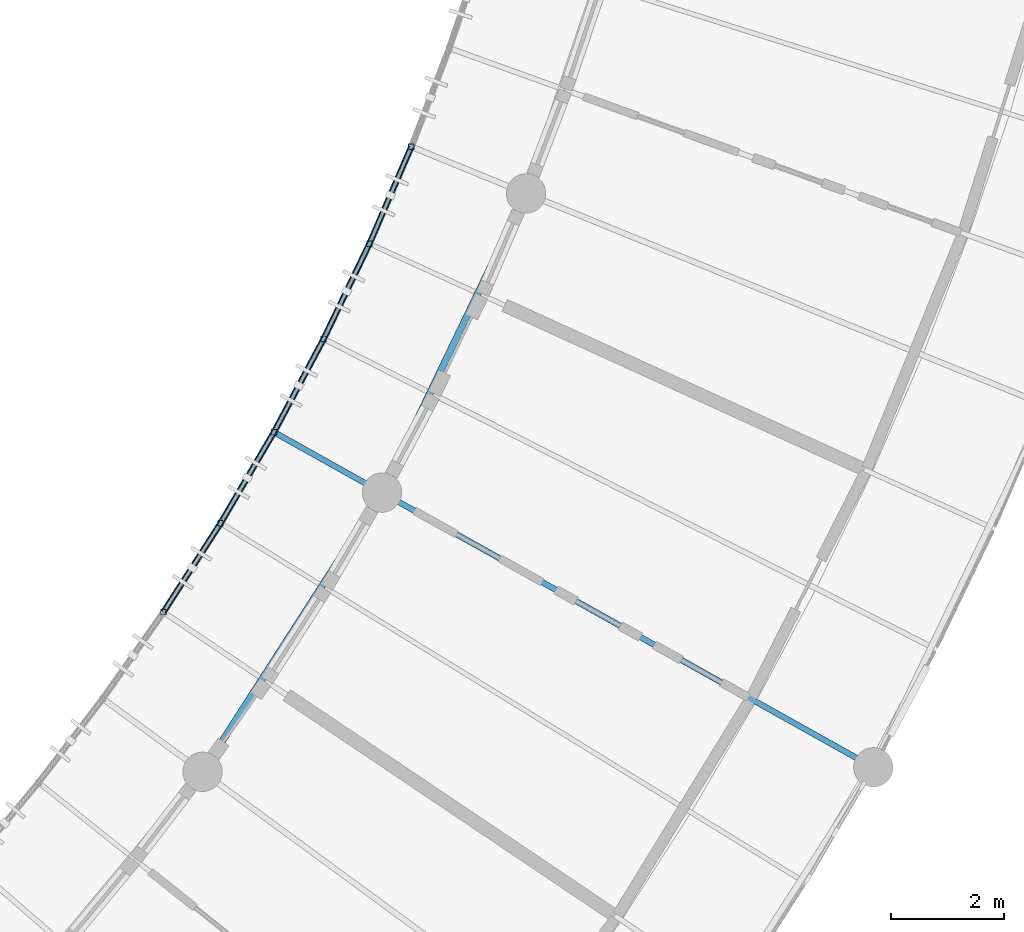
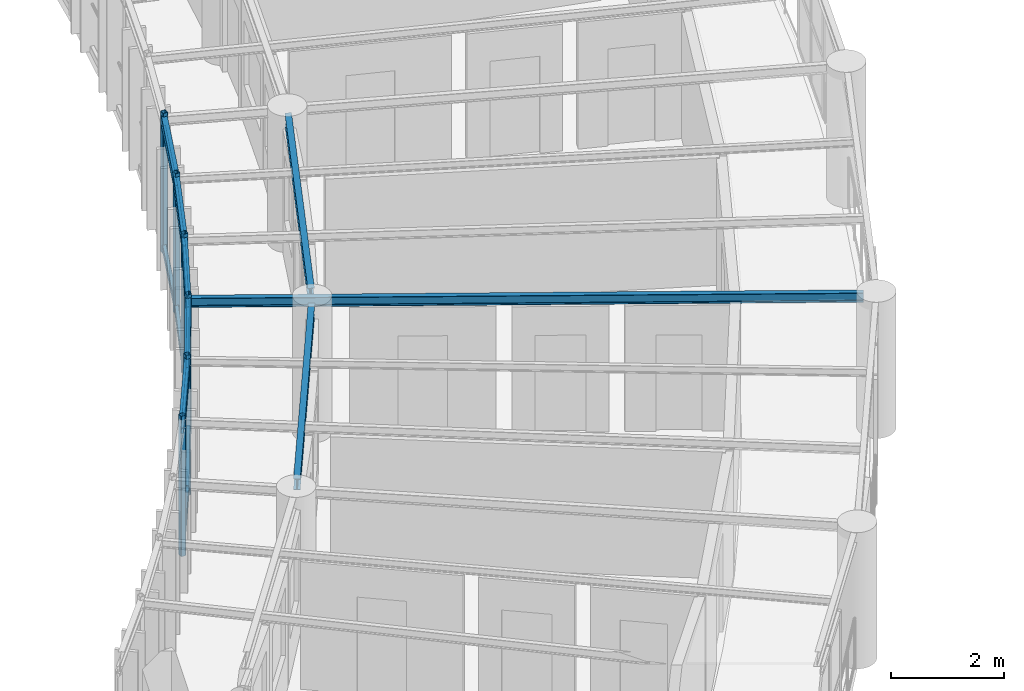
# One storey, part 25 of 137: 16 members, 8 beams.
"""IFC4 building model written with IfcOpenShell, lengths in metres."""

from ifc_helpers import new_model, si_unit, direction, frame, origin, origin_2d, place, context, subcontext, project, spatial, hollow_rectangle, i_section, extrude, material, material_profile, profile_set, type_object, element, save


model = new_model("IFC4")

# Units and contexts
model_context = context("Model", 3, precision=1e-05, world=origin(), true_north=direction((0.0, 1.0)))
body_context = subcontext(model_context, "Body", "Model", "MODEL_VIEW")
ifc_project = project(units=[si_unit("LENGTHUNIT", "METRE"), si_unit("AREAUNIT", "SQUARE_METRE"), si_unit("VOLUMEUNIT", "CUBIC_METRE"), si_unit("PLANEANGLEUNIT", "RADIAN"), si_unit("MASSUNIT", "GRAM", prefix="KILO"), si_unit("POWERUNIT", "WATT"), si_unit("THERMODYNAMICTEMPERATUREUNIT", "KELVIN")], contexts=[model_context])

# Site, building, storey
site_placement = place(None, origin())
site = spatial("IfcSite", under=ifc_project, at=site_placement, CompositionType="ELEMENT")
building_placement = place(site_placement, origin())
building = spatial("IfcBuilding", under=site, at=building_placement, Name="Ruvembo Vaulted Housing Court", CompositionType="ELEMENT")
storey_placement = place(building_placement, frame((0.0, 0.0, 4.5)))
storey = spatial("IfcBuildingStorey", under=building, at=storey_placement, Name="L01", CompositionType="ELEMENT", Elevation=4.5)

# Beams
ifc_material = material(Name="Steel S355J2", Category="steel")
ifc_material_profile_1 = material_profile(ifc_material, i_section(OverallWidth=0.10009765625, OverallDepth=0.199951171875, WebThickness=0.005615234375, FlangeThickness=0.008544921875, FilletRadius=0.011962890625, at=origin_2d()), Name="IPE 200")
ifc_profile_set_1 = profile_set([ifc_material_profile_1], Name="Steel S355J2")
beam_type_1 = type_object("IfcBeamType", Name="BM-ST-IPE200", PredefinedType="BEAM", material=ifc_profile_set_1)
beam_1_placement = place(storey_placement, frame((52.420166015625, 45.801025390625, 2.840087890625), z_axis=(-0.872779724125, 0.488114282885, 0.0), x_axis=(-0.488114282885, -0.872779724125, 0.0)))
element("IfcBeam", 1, at=beam_1_placement, inside=storey, type_object=beam_type_1, Name="Scoop SC1 L01 Radial Steel Joist 6", PredefinedType="BEAM", context=body_context, shape_type="SweptSolid", body=[
    extrude(i_section(OverallWidth=0.10009765625, OverallDepth=0.199951171875, WebThickness=0.005615234375, FlangeThickness=0.008544921875, FilletRadius=0.011962890625, at=origin_2d()), origin(), (0.0, 0.0, 1.0), 12.010009765625),
])
ifc_material_profile_2 = material_profile(ifc_material, i_section(OverallWidth=0.110107421875, OverallDepth=0.219970703125, WebThickness=0.005859375, FlangeThickness=0.00927734375, FilletRadius=0.011962890625, at=origin_2d()), Name="IPE 220")
ifc_profile_set_2 = profile_set([ifc_material_profile_2], Name="Steel S355J2")
beam_type_2 = type_object("IfcBeamType", Name="BM-ST-IPE220", PredefinedType="SPANDREL", material=ifc_profile_set_2)
beam_2_placement = place(storey_placement, frame((40.0087890625, 48.446533203125, 2.830078125), z_axis=(0.540783890821, 0.841161567969, 0.0), x_axis=(-0.841161567969, 0.540783890821, 0.0)))
element("IfcBeam", 2, at=beam_2_placement, inside=storey, type_object=beam_type_2, Name="Scoop SC1 L01 Balcony Edge Spandrel 4", PredefinedType="SPANDREL", context=body_context, shape_type="SweptSolid", body=[
    extrude(i_section(OverallWidth=0.110107421875, OverallDepth=0.219970703125, WebThickness=0.005859375, FlangeThickness=0.00927734375, FilletRadius=0.011962890625, at=origin_2d()), origin(), (0.0, 0.0, 1.0), 1.876708984375),
])
beam_3_placement = place(storey_placement, frame((41.023681640625, 50.025146484375, 2.830078125), z_axis=(0.505859733288, 0.862615748893, 0.0), x_axis=(-0.862615748893, 0.505859733288, 0.0)))
element("IfcBeam", 3, at=beam_3_placement, inside=storey, type_object=beam_type_2, Name="Scoop SC1 L01 Balcony Edge Spandrel 5", PredefinedType="SPANDREL", context=body_context, shape_type="SweptSolid", body=[
    extrude(i_section(OverallWidth=0.110107421875, OverallDepth=0.219970703125, WebThickness=0.005859375, FlangeThickness=0.00927734375, FilletRadius=0.011962890625, at=origin_2d()), origin(), (0.0, 0.0, 1.0), 1.87646484375),
])
beam_4_placement = place(storey_placement, frame((41.972900390625, 51.643798828125, 2.830078125), z_axis=(0.470115552325, 0.882604876183, 0.0), x_axis=(-0.882604876183, 0.470115552325, 0.0)))
element("IfcBeam", 4, at=beam_4_placement, inside=storey, type_object=beam_type_2, Name="Scoop SC1 L01 Balcony Edge Spandrel 6", PredefinedType="SPANDREL", context=body_context, shape_type="SweptSolid", body=[
    extrude(i_section(OverallWidth=0.110107421875, OverallDepth=0.219970703125, WebThickness=0.005859375, FlangeThickness=0.00927734375, FilletRadius=0.011962890625, at=origin_2d()), origin(), (0.0, 0.0, 1.0), 1.876708984375),
])
for number, where, z_axis, x_axis, name in (
    (5, (42.855224609375, 53.30029296875, 2.830078125), (0.433631756601, 0.901090172883, 0.0), (-0.901090172883, 0.433631756601, 0.0), "Scoop SC1 L01 Balcony Edge Spandrel 7"),
    (6, (43.6689453125, 54.9912109375, 2.830078125), (0.396288974503, 0.918125834887, 0.0), (-0.918125834887, 0.396288974503, 0.0), "Scoop SC1 L01 Balcony Edge Spandrel 8"),
):
    element("IfcBeam", number, at=place(storey_placement, frame(where, z_axis=z_axis, x_axis=x_axis)), inside=storey, type_object=beam_type_2, Name=name, PredefinedType="SPANDREL", context=body_context, shape_type="SweptSolid", body=[
        extrude(i_section(OverallWidth=0.110107421875, OverallDepth=0.219970703125, WebThickness=0.005859375, FlangeThickness=0.00927734375, FilletRadius=0.011962890625, at=origin_2d()), origin(), (0.0, 0.0, 1.0), 1.87646484375),
    ])
ifc_material_profile_3 = material_profile(ifc_material, i_section(OverallWidth=0.1201171875, OverallDepth=0.239990234375, WebThickness=0.006103515625, FlangeThickness=0.009765625, FilletRadius=0.014892578125, at=origin_2d()), Name="IPE 240")
ifc_profile_set_3 = profile_set([ifc_material_profile_3], Name="Steel S355J2")
beam_type_3 = type_object("IfcBeamType", Name="BM-ST-IPE240", PredefinedType="BEAM", material=ifc_profile_set_3)
beam_5_placement = place(storey_placement, frame((40.828369140625, 45.80322265625, 2.822021484375), z_axis=(0.540821135915, 0.841137621883, 0.0), x_axis=(-0.841137621883, 0.540821135915, 0.0)))
element("IfcBeam", 7, at=beam_5_placement, inside=storey, type_object=beam_type_3, Name="Scoop SC1 L01 Chord Girder F3", PredefinedType="BEAM", context=body_context, shape_type="SweptSolid", body=[
    extrude(i_section(OverallWidth=0.1201171875, OverallDepth=0.239990234375, WebThickness=0.006103515625, FlangeThickness=0.009765625, FilletRadius=0.014892578125, at=origin_2d()), origin(), (0.0, 0.0, 1.0), 5.43701171875),
])
beam_6_placement = place(storey_placement, frame((43.992919921875, 50.77734375, 2.822021484375), z_axis=(0.433600933421, 0.901105005278, 0.0), x_axis=(-0.901105005278, 0.433600933421, 0.0)))
element("IfcBeam", 8, at=beam_6_placement, inside=storey, type_object=beam_type_3, Name="Scoop SC1 L01 Chord Girder F6", PredefinedType="BEAM", context=body_context, shape_type="SweptSolid", body=[
    extrude(i_section(OverallWidth=0.1201171875, OverallDepth=0.239990234375, WebThickness=0.006103515625, FlangeThickness=0.009765625, FilletRadius=0.014892578125, at=origin_2d()), origin(), (0.0, 0.0, 1.0), 5.436767578125),
])

# Members
ifc_material_profile_4 = material_profile(ifc_material, hollow_rectangle(XDim=0.06005859375, YDim=0.1201171875, WallThickness=0.0048828125, InnerFilletRadius=0.0048828125, OuterFilletRadius=0.010009765625, at=origin_2d()), Name="RHS 120x60x5")
ifc_profile_set_4 = profile_set([ifc_material_profile_4], Name="Steel S355J2")
member_type_1 = type_object("IfcMemberType", Name="MEM-CAR-RHS120", PredefinedType="CHORD", material=ifc_profile_set_4)
member_1_placement = place(storey_placement, frame((40.0087890625, 48.446533203125, 2.6630859375), z_axis=(0.540783890821, 0.841161567969, 0.0), x_axis=(-0.841161567969, 0.540783890821, 0.0)))
element("IfcMember", 9, at=member_1_placement, inside=storey, type_object=member_type_1, Name="Scoop SC1 L01 Upper Louvre Carrier Rail 4", PredefinedType="CHORD", context=body_context, shape_type="SweptSolid", body=[
    extrude(hollow_rectangle(XDim=0.06005859375, YDim=0.1201171875, WallThickness=0.0048828125, InnerFilletRadius=0.0048828125, OuterFilletRadius=0.010009765625, at=origin_2d()), origin(), (0.0, 0.0, 1.0), 1.876708984375),
])
member_2_placement = place(storey_placement, frame((41.023681640625, 50.025146484375, 2.6630859375), z_axis=(0.505859733288, 0.862615748893, 0.0), x_axis=(-0.862615748893, 0.505859733288, 0.0)))
element("IfcMember", 10, at=member_2_placement, inside=storey, type_object=member_type_1, Name="Scoop SC1 L01 Upper Louvre Carrier Rail 5", PredefinedType="CHORD", context=body_context, shape_type="SweptSolid", body=[
    extrude(hollow_rectangle(XDim=0.06005859375, YDim=0.1201171875, WallThickness=0.0048828125, InnerFilletRadius=0.0048828125, OuterFilletRadius=0.010009765625, at=origin_2d()), origin(), (0.0, 0.0, 1.0), 1.87646484375),
])
member_3_placement = place(storey_placement, frame((41.972900390625, 51.643798828125, 2.6630859375), z_axis=(0.470115552325, 0.882604876183, 0.0), x_axis=(-0.882604876183, 0.470115552325, 0.0)))
element("IfcMember", 11, at=member_3_placement, inside=storey, type_object=member_type_1, Name="Scoop SC1 L01 Upper Louvre Carrier Rail 6", PredefinedType="CHORD", context=body_context, shape_type="SweptSolid", body=[
    extrude(hollow_rectangle(XDim=0.06005859375, YDim=0.1201171875, WallThickness=0.0048828125, InnerFilletRadius=0.0048828125, OuterFilletRadius=0.010009765625, at=origin_2d()), origin(), (0.0, 0.0, 1.0), 1.876708984375),
])
for number, where, z_axis, x_axis, name in (
    (12, (42.855224609375, 53.30029296875, 2.6630859375), (0.433631756601, 0.901090172883, 0.0), (-0.901090172883, 0.433631756601, 0.0), "Scoop SC1 L01 Upper Louvre Carrier Rail 7"),
    (13, (43.6689453125, 54.9912109375, 2.6630859375), (0.396288974503, 0.918125834887, 0.0), (-0.918125834887, 0.396288974503, 0.0), "Scoop SC1 L01 Upper Louvre Carrier Rail 8"),
):
    element("IfcMember", number, at=place(storey_placement, frame(where, z_axis=z_axis, x_axis=x_axis)), inside=storey, type_object=member_type_1, Name=name, PredefinedType="CHORD", context=body_context, shape_type="SweptSolid", body=[
        extrude(hollow_rectangle(XDim=0.06005859375, YDim=0.1201171875, WallThickness=0.0048828125, InnerFilletRadius=0.0048828125, OuterFilletRadius=0.010009765625, at=origin_2d()), origin(), (0.0, 0.0, 1.0), 1.87646484375),
    ])
ifc_material_profile_5 = material_profile(ifc_material, hollow_rectangle(XDim=0.080078125, YDim=0.14990234375, WallThickness=0.00634765625, InnerFilletRadius=0.00634765625, OuterFilletRadius=0.0126953125, at=origin_2d()), Name="RHS 150x80x6.3")
ifc_profile_set_5 = profile_set([ifc_material_profile_5], Name="Steel S355J2")
member_type_2 = type_object("IfcMemberType", Name="MEM-CAR-RHS150", PredefinedType="CHORD", material=ifc_profile_set_5)
member_4_placement = place(storey_placement, frame((40.0087890625, 48.446533203125, 0.094970703125), z_axis=(0.540783890821, 0.841161567969, 0.0), x_axis=(-0.841161567969, 0.540783890821, 0.0)))
element("IfcMember", 14, at=member_4_placement, inside=storey, type_object=member_type_2, Name="Scoop SC1 L01 Lower Louvre Carrier Rail 4", PredefinedType="CHORD", context=body_context, shape_type="SweptSolid", body=[
    extrude(hollow_rectangle(XDim=0.080078125, YDim=0.14990234375, WallThickness=0.00634765625, InnerFilletRadius=0.00634765625, OuterFilletRadius=0.0126953125, at=origin_2d()), origin(), (0.0, 0.0, 1.0), 1.876708984375),
])
member_5_placement = place(storey_placement, frame((41.023681640625, 50.025146484375, 0.094970703125), z_axis=(0.505859733288, 0.862615748893, 0.0), x_axis=(-0.862615748893, 0.505859733288, 0.0)))
element("IfcMember", 15, at=member_5_placement, inside=storey, type_object=member_type_2, Name="Scoop SC1 L01 Lower Louvre Carrier Rail 5", PredefinedType="CHORD", context=body_context, shape_type="SweptSolid", body=[
    extrude(hollow_rectangle(XDim=0.080078125, YDim=0.14990234375, WallThickness=0.00634765625, InnerFilletRadius=0.00634765625, OuterFilletRadius=0.0126953125, at=origin_2d()), origin(), (0.0, 0.0, 1.0), 1.87646484375),
])
member_6_placement = place(storey_placement, frame((41.972900390625, 51.643798828125, 0.094970703125), z_axis=(0.470115552325, 0.882604876183, 0.0), x_axis=(-0.882604876183, 0.470115552325, 0.0)))
element("IfcMember", 16, at=member_6_placement, inside=storey, type_object=member_type_2, Name="Scoop SC1 L01 Lower Louvre Carrier Rail 6", PredefinedType="CHORD", context=body_context, shape_type="SweptSolid", body=[
    extrude(hollow_rectangle(XDim=0.080078125, YDim=0.14990234375, WallThickness=0.00634765625, InnerFilletRadius=0.00634765625, OuterFilletRadius=0.0126953125, at=origin_2d()), origin(), (0.0, 0.0, 1.0), 1.876708984375),
])
for number, where, z_axis, x_axis, name in (
    (17, (42.855224609375, 53.30029296875, 0.094970703125), (0.433631756601, 0.901090172883, 0.0), (-0.901090172883, 0.433631756601, 0.0), "Scoop SC1 L01 Lower Louvre Carrier Rail 7"),
    (18, (43.6689453125, 54.9912109375, 0.094970703125), (0.396288974503, 0.918125834887, 0.0), (-0.918125834887, 0.396288974503, 0.0), "Scoop SC1 L01 Lower Louvre Carrier Rail 8"),
):
    element("IfcMember", number, at=place(storey_placement, frame(where, z_axis=z_axis, x_axis=x_axis)), inside=storey, type_object=member_type_2, Name=name, PredefinedType="CHORD", context=body_context, shape_type="SweptSolid", body=[
        extrude(hollow_rectangle(XDim=0.080078125, YDim=0.14990234375, WallThickness=0.00634765625, InnerFilletRadius=0.00634765625, OuterFilletRadius=0.0126953125, at=origin_2d()), origin(), (0.0, 0.0, 1.0), 1.87646484375),
    ])
ifc_material_profile_6 = material_profile(ifc_material, hollow_rectangle(XDim=0.10009765625, YDim=0.10009765625, WallThickness=0.00634765625, InnerFilletRadius=0.00634765625, OuterFilletRadius=0.0126953125, at=origin_2d()), Name="SHS 100x100x6.3")
ifc_profile_set_6 = profile_set([ifc_material_profile_6], Name="Steel S355J2")
member_type_3 = type_object("IfcMemberType", Name="MEM-FRM-SHS100", PredefinedType="STRUT", material=ifc_profile_set_6)
for number, where, z_axis, x_axis, name in (
    (19, (40.0087890625, 48.446533203125, -0.014892578125), (0.0, 0.0, 1.0), (1.0, 0.0, 0.0), "Scoop SC1 L01 Louvre Frame Post 4"),
    (20, (41.023681640625, 50.025146484375, -0.014892578125), (0.0, 0.0, 1.0), (1.0, 0.0, 0.0), "Scoop SC1 L01 Louvre Frame Post 5"),
    (21, (41.972900390625, 51.643798828125, -0.014892578125), (0.0, 0.0, 1.0), (1.0, 0.0, 0.0), "Scoop SC1 L01 Louvre Frame Post 6"),
    (22, (42.855224609375, 53.30029296875, -0.014892578125), (0.0, 0.0, 1.0), (1.0, 0.0, 0.0), "Scoop SC1 L01 Louvre Frame Post 7"),
    (23, (43.6689453125, 54.9912109375, -0.014892578125), (0.0, 0.0, 1.0), (1.0, 0.0, 0.0), "Scoop SC1 L01 Louvre Frame Post 8"),
    (24, (44.41259765625, 56.714111328125, -0.014892578125), (0.0, 0.0, 1.0), (1.0, 0.0, 0.0), "Scoop SC1 L01 Louvre Frame Post 9"),
):
    element("IfcMember", number, at=place(storey_placement, frame(where, z_axis=z_axis, x_axis=x_axis)), inside=storey, type_object=member_type_3, Name=name, PredefinedType="STRUT", context=body_context, shape_type="SweptSolid", body=[
        extrude(hollow_rectangle(XDim=0.10009765625, YDim=0.10009765625, WallThickness=0.00634765625, InnerFilletRadius=0.00634765625, OuterFilletRadius=0.0126953125, at=origin_2d()), origin(), (0.0, 0.0, 1.0), 3.032958984375),
    ])

save(model, "model.ifc")
